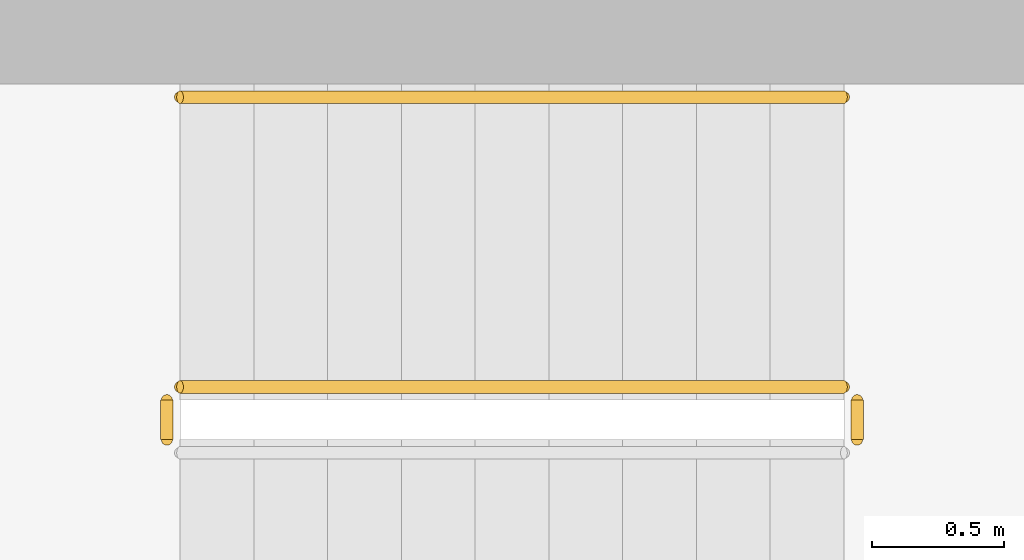
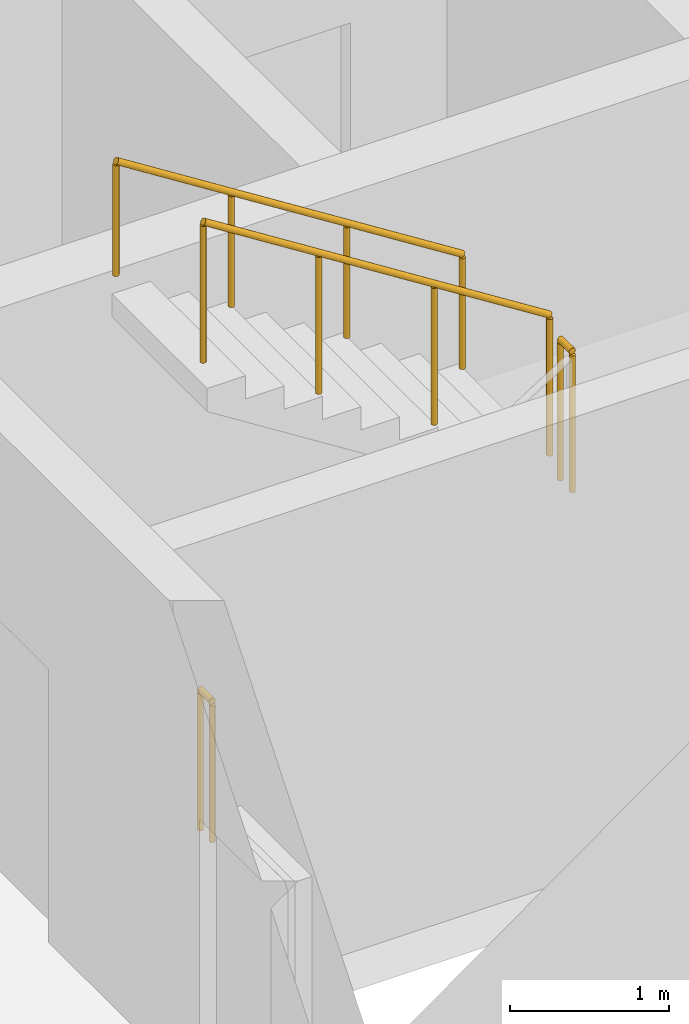
# One storey, part 15 of 17: 4 railings.
"""IFC4 building model written with IfcOpenShell, lengths in metres."""

from ifc_helpers import new_model, si_unit, direction, frame, origin, origin_2d, place, context, subcontext, project, spatial, circle, extrude, material, type_object, element, save


model = new_model("IFC4")

# Units and contexts
model_context = context("Model", 3, precision=1e-05, world=origin(), true_north=direction((0.0, 1.0)))
body_context = subcontext(model_context, "Body", "Model", "MODEL_VIEW")
ifc_project = project(units=[si_unit("LENGTHUNIT", "METRE"), si_unit("AREAUNIT", "SQUARE_METRE"), si_unit("VOLUMEUNIT", "CUBIC_METRE"), si_unit("PLANEANGLEUNIT", "RADIAN"), si_unit("MASSUNIT", "GRAM", prefix="KILO")], contexts=[model_context])

# Site, building, storey
site_placement = place(None, origin())
site = spatial("IfcSite", under=ifc_project, at=site_placement, CompositionType="ELEMENT")
building_placement = place(site_placement, origin())
building = spatial("IfcBuilding", under=site, at=building_placement, Name="Ostrand Prow Hotel Tower", CompositionType="ELEMENT")
storey_placement = place(building_placement, frame((0.0, 0.0, 109.75)))
storey = spatial("IfcBuildingStorey", under=building, at=storey_placement, Name="L26", CompositionType="ELEMENT", Elevation=109.75)

# Railings
ifc_material_1 = material(Name="Painted steel", Category="steel")
railing_type_1 = type_object("IfcRailingType", Name="Stair guard 1100", PredefinedType="GUARDRAIL", material=ifc_material_1)
railing_1_placement = place(storey_placement, frame((59.77001953125, -11.699951171875, 1.77490234375)))
element("IfcRailing", 1, at=railing_1_placement, inside=storey, type_object=railing_type_1, Name="L26 ST2C stair guard 2", PredefinedType="GUARDRAIL", context=body_context, shape_type="SweptSolid", body=[
    extrude(circle(Radius=0.02392578125, at=origin_2d()), frame((0.0, 0.0, 1.076171875), z_axis=(0.0, 1.0, 0.0), x_axis=(-1.0, 0.0, 0.0)), (0.0, 0.0, 1.0), 0.14990234375),
    extrude(circle(Radius=0.02099609375, at=origin_2d()), origin(), (0.0, 0.0, 1.0), 1.052001953125),
    extrude(circle(Radius=0.02099609375, at=origin_2d()), frame((0.0, 0.14990234375, 0.0)), (0.0, 0.0, 1.0), 1.052001953125),
])
railing_2_placement = place(storey_placement, frame((59.719970703125, -11.5, 1.952392578125)))
element("IfcRailing", 2, at=railing_2_placement, inside=storey, type_object=railing_type_1, Name="L26 ST2C stair guard 3", PredefinedType="GUARDRAIL", context=body_context, shape_type="SweptSolid", body=[
    extrude(circle(Radius=0.02392578125, at=origin_2d()), frame((0.0, 0.0, 1.076171875), z_axis=(-0.84456994832, 0.0, 0.535445237532), x_axis=(0.0, -1.0, 0.0)), (0.0, 0.0, 1.0), 2.98388671875),
    extrude(circle(Radius=0.02099609375, at=origin_2d()), origin(), (0.0, 0.0, 1.0), 1.052001953125),
    extrude(circle(Radius=0.02099609375, at=origin_2d()), frame((-0.840087890625, 0.0, 0.532470703125)), (0.0, 0.0, 1.0), 1.052001953125),
    extrude(circle(Radius=0.02099609375, at=origin_2d()), frame((-1.679931640625, 0.0, 1.065185546875)), (0.0, 0.0, 1.0), 1.052001953125),
    extrude(circle(Radius=0.02099609375, at=origin_2d()), frame((-2.52001953125, 0.0, 1.59765625)), (0.0, 0.0, 1.0), 1.052001953125),
])
railing_3_placement = place(storey_placement, frame((57.14990234375, -11.699951171875, 0.0)))
element("IfcRailing", 3, at=railing_3_placement, inside=storey, type_object=railing_type_1, Name="L26 ST2C stair guard 4", PredefinedType="GUARDRAIL", context=body_context, shape_type="SweptSolid", body=[
    extrude(circle(Radius=0.02392578125, at=origin_2d()), frame((0.0, 0.0, 1.076171875), z_axis=(0.0, 1.0, 0.0), x_axis=(-1.0, 0.0, 0.0)), (0.0, 0.0, 1.0), 0.14990234375),
    extrude(circle(Radius=0.02099609375, at=origin_2d()), origin(), (0.0, 0.0, 1.0), 1.052001953125),
    extrude(circle(Radius=0.02099609375, at=origin_2d()), frame((0.0, 0.14990234375, 0.0)), (0.0, 0.0, 1.0), 1.052001953125),
])
ifc_material_2 = material(Name="Stainless steel", Category="steel")
railing_type_2 = type_object("IfcRailingType", Name="Stair handrail 900", PredefinedType="HANDRAIL", material=ifc_material_2)
railing_4_placement = place(storey_placement, frame((59.719970703125, -10.39990234375, 1.952392578125)))
element("IfcRailing", 4, at=railing_4_placement, inside=storey, type_object=railing_type_2, Name="L26 ST2C stair handrail 2", PredefinedType="HANDRAIL", context=body_context, shape_type="SweptSolid", body=[
    extrude(circle(Radius=0.02392578125, at=origin_2d()), frame((0.0, 0.0, 0.8759765625), z_axis=(-0.84456994832, 0.0, 0.535445237532), x_axis=(0.0, -1.0, 0.0)), (0.0, 0.0, 1.0), 2.98388671875),
    extrude(circle(Radius=0.02099609375, at=origin_2d()), origin(), (0.0, 0.0, 1.0), 0.851806640625),
    extrude(circle(Radius=0.02099609375, at=origin_2d()), frame((-0.840087890625, 0.0, 0.532470703125)), (0.0, 0.0, 1.0), 0.851806640625),
    extrude(circle(Radius=0.02099609375, at=origin_2d()), frame((-1.679931640625, 0.0, 1.065185546875)), (0.0, 0.0, 1.0), 0.851806640625),
    extrude(circle(Radius=0.02099609375, at=origin_2d()), frame((-2.52001953125, 0.0, 1.59765625)), (0.0, 0.0, 1.0), 0.851806640625),
])

save(model, "model.ifc")
